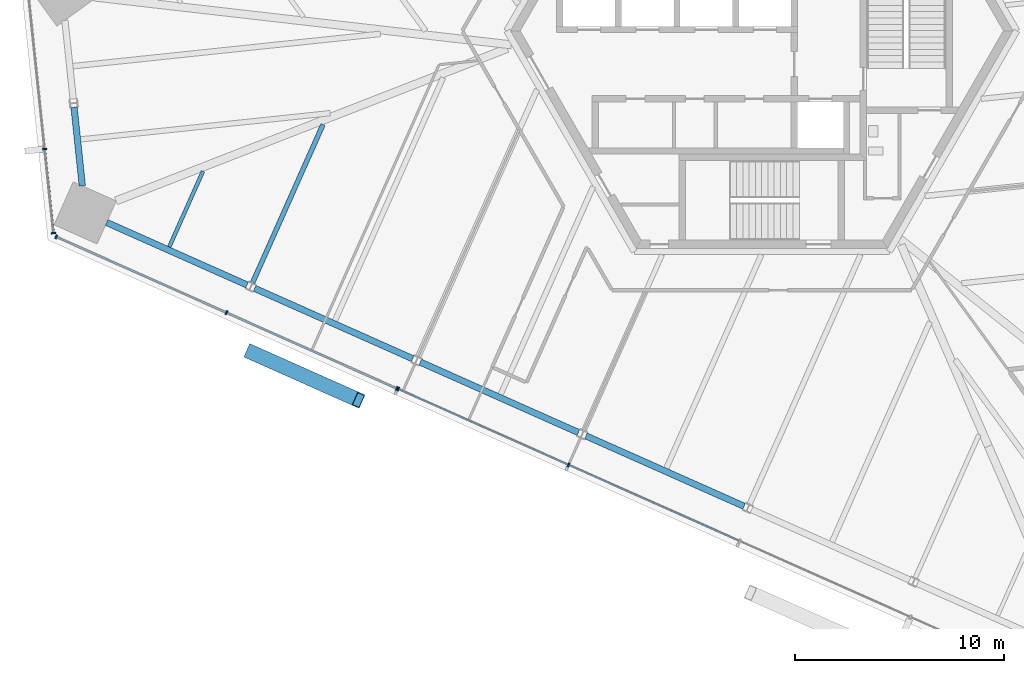
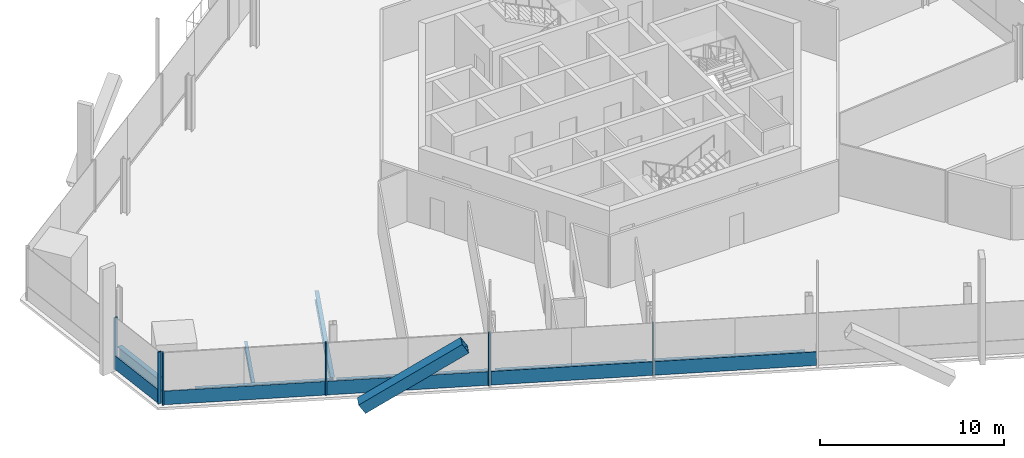
# One storey, part 3 of 21: 13 members, 7 beams, 3 elements without a shape of their own.
"""IFC4 building model written with IfcOpenShell, lengths in metres."""

from ifc_helpers import new_model, si_unit, direction, frame, origin, origin_2d, place, context, subcontext, project, spatial, rectangle, hollow_rectangle, i_section, extrude, source, transform, mapped, material, material_profile, profile_set, type_object, element, aggregate, save


model = new_model("IFC4")

# Units and contexts
model_context = context("Model", 3, precision=1e-05, world=origin(), true_north=direction((0.0, 1.0)))
body_context = subcontext(model_context, "Body", "Model", "MODEL_VIEW")
ifc_project = project(units=[si_unit("LENGTHUNIT", "METRE"), si_unit("AREAUNIT", "SQUARE_METRE"), si_unit("VOLUMEUNIT", "CUBIC_METRE"), si_unit("PLANEANGLEUNIT", "RADIAN"), si_unit("MASSUNIT", "GRAM", prefix="KILO")], contexts=[model_context])

# Site, building, storey
site_placement = place(None, origin())
site = spatial("IfcSite", under=ifc_project, at=site_placement, CompositionType="ELEMENT")
building_placement = place(site_placement, origin())
building = spatial("IfcBuilding", under=site, at=building_placement, Name="Triune Harvest Tower", CompositionType="ELEMENT")
storey_placement = place(building_placement, frame((0.0, 0.0, 65.699951171875)))
storey = spatial("IfcBuildingStorey", under=building, at=storey_placement, Name="L15", CompositionType="ELEMENT", Elevation=65.699951171875)

# Beams
ifc_material_1 = material(Name="Steel ASTM A992 Gr 50", Category="steel")
ifc_material_profile_1 = material_profile(ifc_material_1, i_section(OverallWidth=0.3046875, OverallDepth=0.914306640625, WebThickness=0.0166015625, FlangeThickness=0.02587890625, at=origin_2d()), Name="W36x160")
ifc_profile_set_1 = profile_set([ifc_material_profile_1], Name="Steel ASTM A992 Gr 50")
beam_type_1 = type_object("IfcBeamType", Name="SB-1 Spandrel beam W36x160", PredefinedType="SPANDREL", material=ifc_profile_set_1)
shared_shape_1 = source(origin(), body_context, "Body", "SweptSolid", [
    extrude(i_section(OverallWidth=0.3046875, OverallDepth=0.914306640625, WebThickness=0.0166015625, FlangeThickness=0.02587890625, at=origin_2d()), origin(), (0.0, 0.0, 1.0), 7.337890625),
])
beam_1_placement = place(storey_placement, frame((-31.29150390625, -9.156982421875, -0.6171875), z_axis=(0.913558923036, -0.40670639796, 0.0), x_axis=(0.40670639796, 0.913558923036, 0.0)))
element("IfcBeam", 1, at=beam_1_placement, inside=storey, type_object=beam_type_1, Name="beam/L15/SB17", PredefinedType="SPANDREL", context=body_context, shape_type="MappedRepresentation", body=[
    mapped(shared_shape_1, transform((0.0, 0.0, 0.0), scale=1.0)),
])
shared_shape_2 = source(origin(), body_context, "Body", "SweptSolid", [
    extrude(i_section(OverallWidth=0.3046875, OverallDepth=0.914306640625, WebThickness=0.0166015625, FlangeThickness=0.02587890625, at=origin_2d()), origin(), (0.0, 0.0, 1.0), 8.263427734375),
])
for number, where, z_axis, x_axis, name in (
    (2, (-24.2236328125, -12.3037109375, -0.6171875), (0.913544537455, -0.406738709846, 0.0), (0.406738709846, 0.913544537455, 0.0), "beam/L15/SB18"),
    (3, (-16.310302734375, -15.826904296875, -0.6171875), (0.913544537455, -0.406738709846, 0.0), (0.406738709846, 0.913544537455, 0.0), "beam/L15/SB19"),
    (4, (-8.39697265625, -19.35009765625, -0.6171875), (0.913544537455, -0.406738709846, 0.0), (0.406738709846, 0.913544537455, 0.0), "beam/L15/SB20"),
):
    element("IfcBeam", number, at=place(storey_placement, frame(where, z_axis=z_axis, x_axis=x_axis)), inside=storey, type_object=beam_type_1, Name=name, PredefinedType="SPANDREL", context=body_context, shape_type="MappedRepresentation", body=[
        mapped(shared_shape_2, transform((0.0, 0.0, 0.0), scale=1.0)),
    ])
shared_shape_3 = source(origin(), body_context, "Body", "SweptSolid", [
    extrude(i_section(OverallWidth=0.3046875, OverallDepth=0.914306640625, WebThickness=0.0166015625, FlangeThickness=0.02587890625, at=origin_2d()), origin(), (0.0, 0.0, 1.0), 3.775146484375),
])
beam_2_placement = place(storey_placement, frame((-32.849609375, -3.653076171875, -0.6171875), z_axis=(0.104573690763, -0.994517140727, 0.0), x_axis=(0.994517140727, 0.104573690763, 0.0)))
element("IfcBeam", 5, at=beam_2_placement, inside=storey, type_object=beam_type_1, Name="beam/L15/SB16", PredefinedType="SPANDREL", context=body_context, shape_type="MappedRepresentation", body=[
    mapped(shared_shape_3, transform((0.0, 0.0, 0.0), scale=1.0)),
])
ifc_material_2 = material(Name="Steel ASTM A992 Gr 50", Category="steel")
ifc_material_profile_2 = material_profile(ifc_material_2, i_section(OverallWidth=0.180908203125, OverallDepth=0.41650390625, WebThickness=0.010986328125, FlangeThickness=0.01806640625, at=origin_2d()), Name="W16x57")
ifc_profile_set_2 = profile_set([ifc_material_profile_2], Name="Steel ASTM A992 Gr 50")
beam_type_2 = type_object("IfcBeamType", Name="JT-1 Floor joist W16x57", PredefinedType="JOIST", material=ifc_profile_set_2)
shared_shape_4 = source(origin(), body_context, "Body", "SweptSolid", [
    extrude(i_section(OverallWidth=0.180908203125, OverallDepth=0.41650390625, WebThickness=0.010986328125, FlangeThickness=0.01806640625, at=origin_2d()), origin(), (0.0, 0.0, 1.0), 3.95068359375),
])
beam_3_placement = place(storey_placement, frame((-28.300537109375, -10.32177734375, -0.3681640625), z_axis=(0.406746150359, 0.913541224668, 0.0), x_axis=(-0.913541224668, 0.406746150359, 0.0)))
element("IfcBeam", 6, at=beam_3_placement, inside=storey, type_object=beam_type_2, Name="beam/L15/JT27", PredefinedType="JOIST", context=body_context, shape_type="MappedRepresentation", body=[
    mapped(shared_shape_4, transform((0.0, 0.0, 0.0), scale=1.0)),
])
ifc_material_3 = material(Name="Steel ASTM A992 Gr 50", Category="steel")
ifc_material_profile_3 = material_profile(ifc_material_3, i_section(OverallWidth=0.22900390625, OverallDepth=0.612060546875, WebThickness=0.011962890625, FlangeThickness=0.01953125, at=origin_2d()), Name="W24x84")
ifc_profile_set_3 = profile_set([ifc_material_profile_3], Name="Steel ASTM A992 Gr 50")
beam_type_3 = type_object("IfcBeamType", Name="JT-3 Floor joist W24x84", PredefinedType="JOIST", material=ifc_profile_set_3)
shared_shape_5 = source(origin(), body_context, "Body", "SweptSolid", [
    extrude(i_section(OverallWidth=0.22900390625, OverallDepth=0.612060546875, WebThickness=0.011962890625, FlangeThickness=0.01953125, at=origin_2d()), origin(), (0.0, 0.0, 1.0), 8.28173828125),
])
beam_4_placement = place(storey_placement, frame((-24.32568359375, -12.042724609375, -0.466064453125), z_axis=(0.406731926006, 0.913547557803, 0.0), x_axis=(-0.913547557803, 0.406731926006, 0.0)))
element("IfcBeam", 7, at=beam_4_placement, inside=storey, type_object=beam_type_3, Name="beam/L15/JT28", PredefinedType="JOIST", context=body_context, shape_type="MappedRepresentation", body=[
    mapped(shared_shape_5, transform((0.0, 0.0, 0.0), scale=1.0)),
])

# Member
ifc_material_4 = material(Name="Steel ASTM A572 Gr 50", Category="steel")
ifc_material_profile_4 = material_profile(ifc_material_4, hollow_rectangle(XDim=0.699951171875, YDim=0.699951171875, WallThickness=0.0400390625, at=origin_2d()), Name="Box 700x700x40")
ifc_profile_set_4 = profile_set([ifc_material_profile_4], Name="Steel ASTM A572 Gr 50")
member_type_1 = type_object("IfcMemberType", Name="BR-1 Brace Box 700x700x40", PredefinedType="BRACE", material=ifc_profile_set_4)
shared_shape_6 = source(origin(), body_context, "Body", "SweptSolid", [
    extrude(hollow_rectangle(XDim=0.699951171875, YDim=0.699951171875, WallThickness=0.0400390625, at=origin_2d()), origin(), (0.0, 0.0, 1.0), 6.7021484375),
])
member_1_placement = place(storey_placement, frame((-24.427978515625, -15.338134765625, 0.0), z_axis=(0.77056979764, -0.343066387169, 0.537147690082), x_axis=(0.406723393916, 0.913551356434, 0.0)))
element("IfcMember", 8, at=member_1_placement, inside=storey, type_object=member_type_1, Name="brace/B2-F5/d1/3", PredefinedType="BRACE", context=body_context, shape_type="MappedRepresentation", body=[
    mapped(shared_shape_6, transform((0.0, 0.0, 0.0), scale=1.0)),
])

# Curtain wall, members
ifc_material_5 = material(Name="Aluminium bronze anodised", Category="aluminium")
curtain_wall_type_1 = type_object("IfcCurtainWallType", Name="CW-1 Tower stick curtain wall", PredefinedType="NOTDEFINED", material=ifc_material_5)
curtain_wall_1_placement = place(storey_placement, origin())
curtain_wall_1 = element("IfcCurtainWall", 9, at=curtain_wall_1_placement, inside=storey, type_object=curtain_wall_type_1, Name="CW-1 B2-F4 L15 run 1")
ifc_material_6 = material(Name="Aluminium bronze anodised", Category="aluminium")
ifc_material_profile_5 = material_profile(ifc_material_6, rectangle(XDim=0.199951171875, YDim=0.074951171875, at=origin_2d()), Name="MU-1 mullion 75 x 200")
ifc_profile_set_5 = profile_set([ifc_material_profile_5], Name="Aluminium bronze anodised")
member_type_2 = type_object("IfcMemberType", Name="MU-1 mullion 75 x 200", PredefinedType="MULLION", material=ifc_profile_set_5)
shared_shape_7 = source(origin(), body_context, "Body", "SweptSolid", [
    extrude(rectangle(XDim=0.199951171875, YDim=0.074951171875, at=origin_2d()), origin(), (0.0, 0.0, 1.0), 3.43994140625),
])
member_2_placement = place(storey_placement, frame((-34.25390625, -5.648193359375, 0.0), z_axis=(0.0, 0.0, 1.0), x_axis=(0.994521790334, 0.104529462601, 0.0)))
member_2 = element("IfcMember", 10, at=member_2_placement, type_object=member_type_2, Name="CW-1 mullion B2-F4 1.3", PredefinedType="MULLION", context=body_context, shape_type="MappedRepresentation", body=[
    mapped(shared_shape_7, transform((0.0, 0.0, 0.0), scale=1.0)),
])
member_3_placement = place(storey_placement, frame((-33.83203125, -9.662109375, 0.0), z_axis=(0.0, 0.0, 1.0), x_axis=(0.994521790334, 0.104529462601, 0.0)))
member_3 = element("IfcMember", 11, at=member_3_placement, type_object=member_type_2, Name="CW-1 mullion B2-F4 1.4", PredefinedType="MULLION", context=body_context, shape_type="MappedRepresentation", body=[
    mapped(shared_shape_7, transform((0.0, 0.0, 0.0), scale=1.0)),
])

ifc_material_7 = material(Name="Aluminium bronze anodised", Category="aluminium")
curtain_wall_type_2 = type_object("IfcCurtainWallType", Name="CW-7 Tower stick curtain wall with insulated spandrel infill", PredefinedType="NOTDEFINED", material=ifc_material_7)
curtain_wall_2_placement = place(storey_placement, origin())
curtain_wall_2 = element("IfcCurtainWall", 12, at=curtain_wall_2_placement, inside=storey, type_object=curtain_wall_type_2, Name="CW-7 B2-F5 L15 run 1")
member_4_placement = place(storey_placement, frame((-33.7021484375, -9.840576171875, 0.0), z_axis=(0.0, 0.0, 1.0), x_axis=(0.406737239029, 0.913545192307, 0.0)))
member_4 = element("IfcMember", 13, at=member_4_placement, type_object=member_type_2, Name="CW-7 mullion B2-F5 1.1", PredefinedType="MULLION", context=body_context, shape_type="MappedRepresentation", body=[
    mapped(shared_shape_7, transform((0.0, 0.0, 0.0), scale=1.0)),
])
member_5_placement = place(storey_placement, frame((-25.568359375, -13.462158203125, 0.0), z_axis=(0.0, 0.0, 1.0), x_axis=(0.406737239029, 0.913545192307, 0.0)))
member_5 = element("IfcMember", 14, at=member_5_placement, type_object=member_type_2, Name="CW-7 mullion B2-F5 1.3", PredefinedType="MULLION", context=body_context, shape_type="MappedRepresentation", body=[
    mapped(shared_shape_7, transform((0.0, 0.0, 0.0), scale=1.0)),
])
member_6_placement = place(storey_placement, frame((-17.434326171875, -17.08349609375, 0.0), z_axis=(0.0, 0.0, 1.0), x_axis=(0.406737239029, 0.913545192307, 0.0)))
member_6 = element("IfcMember", 15, at=member_6_placement, type_object=member_type_2, Name="CW-7 mullion B2-F5 1.5", PredefinedType="MULLION", context=body_context, shape_type="MappedRepresentation", body=[
    mapped(shared_shape_7, transform((0.0, 0.0, 0.0), scale=1.0)),
])

curtain_wall_3_placement = place(storey_placement, origin())
curtain_wall_3 = element("IfcCurtainWall", 16, at=curtain_wall_3_placement, inside=storey, type_object=curtain_wall_type_1, Name="CW-1 B2-F5 L15 run 1001")
member_7_placement = place(storey_placement, frame((-17.36572265625, -17.114013671875, 0.0), z_axis=(0.0, 0.0, 1.0), x_axis=(0.406737189059, 0.913545214555, 0.0)))
member_7 = element("IfcMember", 17, at=member_7_placement, type_object=member_type_2, Name="CW-1 mullion B2-F5 1001.1", PredefinedType="MULLION", context=body_context, shape_type="MappedRepresentation", body=[
    mapped(shared_shape_7, transform((0.0, 0.0, 0.0), scale=1.0)),
])
member_8_placement = place(storey_placement, frame((-9.23193359375, -20.735595703125, 0.0), z_axis=(0.0, 0.0, 1.0), x_axis=(0.406737189059, 0.913545214555, 0.0)))
member_8 = element("IfcMember", 18, at=member_8_placement, type_object=member_type_2, Name="CW-1 mullion B2-F5 1001.3", PredefinedType="MULLION", context=body_context, shape_type="MappedRepresentation", body=[
    mapped(shared_shape_7, transform((0.0, 0.0, 0.0), scale=1.0)),
])

# Member
ifc_material_8 = material(Name="Aluminium bronze anodised", Category="aluminium")
ifc_material_profile_6 = material_profile(ifc_material_8, rectangle(XDim=0.090087890625, YDim=0.89990234375, at=origin_2d()), Name="TR-1 transom 90 x 900")
ifc_profile_set_6 = profile_set([ifc_material_profile_6], Name="Aluminium bronze anodised")
member_type_3 = type_object("IfcMemberType", Name="TR-1 transom 90 x 900", PredefinedType="USERDEFINED", material=ifc_profile_set_6)
shared_shape_8 = source(origin(), body_context, "Body", "SweptSolid", [
    extrude(rectangle(XDim=0.090087890625, YDim=0.89990234375, at=origin_2d()), origin(), (0.0, 0.0, 1.0), 3.9609375),
])
member_9_placement = place(storey_placement, frame((-34.25, -5.685546875, 0.449951171875), z_axis=(0.104537191117, -0.994520977996, 0.0), x_axis=(0.994520977996, 0.104537191117, 0.0)))
member_9 = element("IfcMember", 19, at=member_9_placement, type_object=member_type_3, Name="CW-1 transom B2-F4 1.2", ObjectType="TRANSOM", PredefinedType="USERDEFINED", context=body_context, shape_type="MappedRepresentation", body=[
    mapped(shared_shape_8, transform((0.0, 0.0, 0.0), scale=1.0)),
])

aggregate(curtain_wall_1, [member_2, member_3, member_9])

shared_shape_9 = source(origin(), body_context, "Body", "SweptSolid", [
    extrude(rectangle(XDim=0.090087890625, YDim=0.89990234375, at=origin_2d()), origin(), (0.0, 0.0, 1.0), 8.82861328125),
])
member_10_placement = place(storey_placement, frame((-33.66796875, -9.85595703125, 0.449951171875), z_axis=(0.913551364205, -0.40672337646, 0.0), x_axis=(0.40672337646, 0.913551364205, 0.0)))
member_10 = element("IfcMember", 20, at=member_10_placement, type_object=member_type_3, Name="CW-7 transom B2-F5 1.1", ObjectType="TRANSOM", PredefinedType="USERDEFINED", context=body_context, shape_type="MappedRepresentation", body=[
    mapped(shared_shape_9, transform((0.0, 0.0, 0.0), scale=1.0)),
])

member_11_placement = place(storey_placement, frame((-17.33154296875, -17.12939453125, 0.449951171875), z_axis=(0.913551364205, -0.40672337646, 0.0), x_axis=(0.40672337646, 0.913551364205, 0.0)))
member_11 = element("IfcMember", 21, at=member_11_placement, type_object=member_type_3, Name="CW-1 transom B2-F5 1001.1", ObjectType="TRANSOM", PredefinedType="USERDEFINED", context=body_context, shape_type="MappedRepresentation", body=[
    mapped(shared_shape_9, transform((0.0, 0.0, 0.0), scale=1.0)),
])

shared_shape_10 = source(origin(), body_context, "Body", "SweptSolid", [
    extrude(rectangle(XDim=0.090087890625, YDim=0.89990234375, at=origin_2d()), origin(), (0.0, 0.0, 1.0), 8.8662109375),
])
member_12_placement = place(storey_placement, frame((-9.19775390625, -20.750732421875, 0.449951171875), z_axis=(0.913544504695, -0.406738783423, 0.0), x_axis=(0.406738783423, 0.913544504695, 0.0)))
member_12 = element("IfcMember", 22, at=member_12_placement, type_object=member_type_3, Name="CW-1 transom B2-F5 1001.2", ObjectType="TRANSOM", PredefinedType="USERDEFINED", context=body_context, shape_type="MappedRepresentation", body=[
    mapped(shared_shape_10, transform((0.0, 0.0, 0.0), scale=1.0)),
])

aggregate(curtain_wall_3, [member_7, member_8, member_11, member_12])

shared_shape_11 = source(origin(), body_context, "Body", "SweptSolid", [
    extrude(rectangle(XDim=0.090087890625, YDim=0.89990234375, at=origin_2d()), origin(), (0.0, 0.0, 1.0), 8.828857421875),
])
member_13_placement = place(storey_placement, frame((-25.533935546875, -13.477294921875, 0.449951171875), z_axis=(0.913541089129, -0.406746454776, 0.0), x_axis=(0.406746454776, 0.913541089129, 0.0)))
member_13 = element("IfcMember", 23, at=member_13_placement, type_object=member_type_3, Name="CW-7 transom B2-F5 1.2", ObjectType="TRANSOM", PredefinedType="USERDEFINED", context=body_context, shape_type="MappedRepresentation", body=[
    mapped(shared_shape_11, transform((0.0, 0.0, 0.0), scale=1.0)),
])

aggregate(curtain_wall_2, [member_4, member_5, member_6, member_10, member_13])

save(model, "model.ifc")
